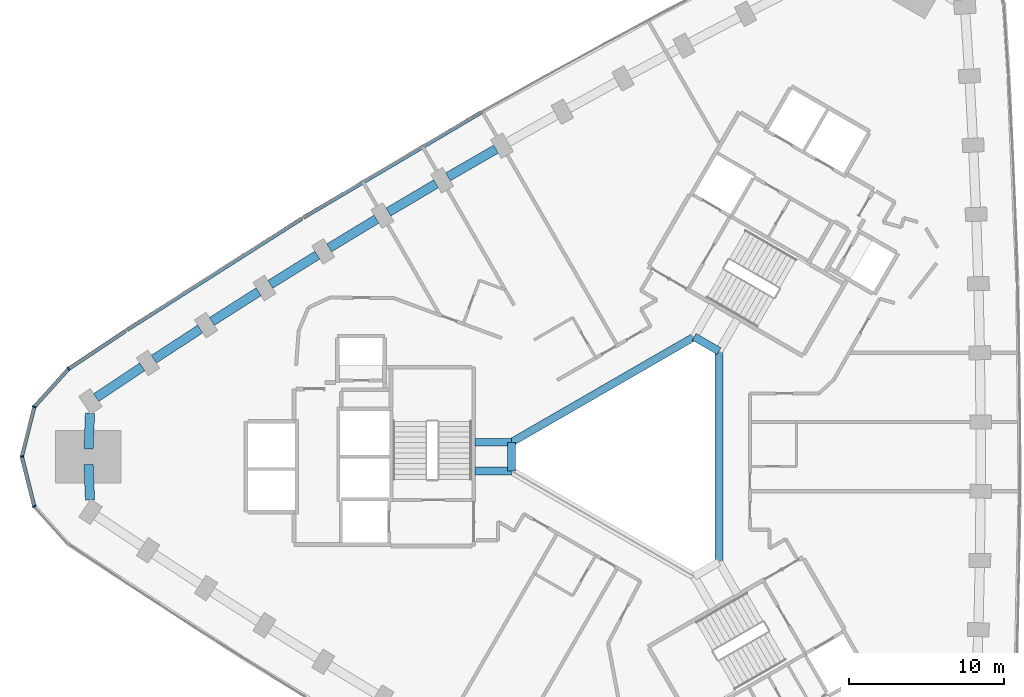
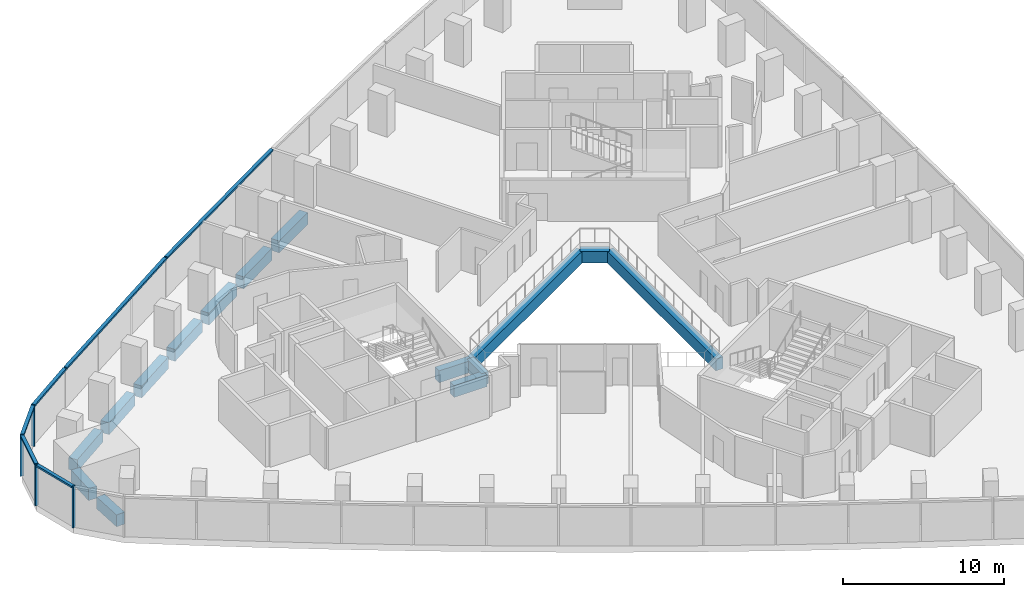
# One storey, part 4 of 13: 15 beams, 10 members, 1 element without a shape of its own.
"""IFC4 building model written with IfcOpenShell, lengths in metres."""

import ifcopenshell
import ifcopenshell.guid

model = None  # the IFC model being written
_history = None  # IfcOwnerHistory: only IFC2X3 demands one
_inside = {}  # id of a spatial element -> (the spatial element, [elements in it])
_under = {}  # id of a project, library or spatial element -> (it, [spatial elements below it])
_declared = {}  # id of a project -> (the project, [libraries it declares])
_typed = {}  # id of a type object -> (the type object, [elements of that type])
_made_of = {}  # id of a material, layer set ... -> (it, [elements and type objects made of it])


def new_model(schema):
    """Start an empty IFC model of exactly this schema.

    Asked for "IFC4X3", IfcOpenShell would pick the latest addendum, in which some entities
    have other attributes; the version numbers below select the first issue.
    IFC2X3 requires an IfcOwnerHistory on every rooted entity: one is made here for all.
    """
    global model, _history
    if schema == "IFC4X3":
        model = ifcopenshell.file(schema_version=(4, 3, 0, 0))
    else:
        model = ifcopenshell.file(schema=schema)
    _inside.clear()
    _under.clear()
    _declared.clear()
    _typed.clear()
    _made_of.clear()
    _history = None
    if model.schema == "IFC2X3":
        org = make("IfcOrganization", Name="unknown")
        user = make(
            "IfcPersonAndOrganization",
            ThePerson=make("IfcPerson", FamilyName="unknown"),
            TheOrganization=org,
        )
        app = make(
            "IfcApplication",
            ApplicationDeveloper=org,
            Version="unknown",
            ApplicationFullName="unknown",
            ApplicationIdentifier="unknown",
        )
        _history = make(
            "IfcOwnerHistory",
            OwningUser=user,
            OwningApplication=app,
            ChangeAction="ADDED",
            CreationDate=0,
        )
    return model


def make(cls, **values):
    """One entity of the class cls with the attributes given. An attribute that is None is left unset."""
    return model.create_entity(
        cls, **{name: value for name, value in values.items() if value is not None}
    )


def rooted(cls, **values):
    """An entity with a GlobalId (a new one), such as an element, a storey or a relation."""
    return make(cls, GlobalId=ifcopenshell.guid.new(), OwnerHistory=_history, **values)


def si_unit(unit_type, name, prefix=None):
    """IfcSIUnit, for example si_unit("LENGTHUNIT", "METRE", prefix="MILLI")."""
    return make("IfcSIUnit", UnitType=unit_type, Prefix=prefix, Name=name)


def assignment(units):
    """IfcUnitAssignment: the units of a project."""
    return None if units is None else make("IfcUnitAssignment", Units=units)


def point(xyz):
    """IfcCartesianPoint."""
    return None if xyz is None else make("IfcCartesianPoint", Coordinates=xyz)


def direction(xyz):
    """IfcDirection."""
    return None if xyz is None else make("IfcDirection", DirectionRatios=xyz)


def frame(location, z_axis=None, x_axis=None):
    """IfcAxis2Placement3D, a coordinate frame: its origin and axes. An axis left out is left unset."""
    return make(
        "IfcAxis2Placement3D",
        Location=point(location),
        Axis=direction(z_axis),
        RefDirection=direction(x_axis),
    )


def frame_2d(location, x_axis=None):
    """IfcAxis2Placement2D, a coordinate frame in the plane: its origin and x axis."""
    return make(
        "IfcAxis2Placement2D", Location=point(location), RefDirection=direction(x_axis)
    )


def origin():
    """The frame at (0, 0, 0) with its axes left unset."""
    return frame((0.0, 0.0, 0.0))


def origin_2d():
    """The frame at (0, 0) in the plane with its x axis left unset."""
    return frame_2d((0.0, 0.0))


def place(relative_to, where):
    """IfcLocalPlacement: puts the frame where relative to a parent placement (None: the world)."""
    return make(
        "IfcLocalPlacement", PlacementRelTo=relative_to, RelativePlacement=where
    )


def context(
    kind, dimensions, precision=None, world=None, true_north=None, identifier=None
):
    """IfcGeometricRepresentationContext, for example the 3D "Model" context."""
    return make(
        "IfcGeometricRepresentationContext",
        ContextIdentifier=identifier,
        ContextType=kind,
        CoordinateSpaceDimension=dimensions,
        Precision=precision,
        WorldCoordinateSystem=world,
        TrueNorth=true_north,
    )


def subcontext(parent, identifier, kind, view, scale=None):
    """IfcGeometricRepresentationSubContext, for example "Body" below "Model"."""
    return make(
        "IfcGeometricRepresentationSubContext",
        ContextIdentifier=identifier,
        ContextType=kind,
        ParentContext=parent,
        TargetScale=scale,
        TargetView=view,
    )


def project(units=None, contexts=None):
    """IfcProject with its units and contexts."""
    return rooted(
        "IfcProject",
        Name="project",
        RepresentationContexts=contexts,
        UnitsInContext=assignment(units),
    )


def spatial(cls, under=None, at=None, **own):
    """A site, building, storey or space (cls), placed at a placement, below another one or the project."""
    s = rooted(cls, ObjectPlacement=at, **own)
    if under is not None:
        _under.setdefault(under.id(), (under, []))[1].append(s)
    return s


def profile(cls, at=None, kind="AREA", **sizes):
    """A parametric profile (cls). Its sizes go by their IFC names, for example OverallWidth=200.0."""
    return make(cls, ProfileType=kind, Position=at, **sizes)


def rectangle(**sizes):
    """IfcRectangleProfileDef."""
    return profile("IfcRectangleProfileDef", **sizes)


def extrude(swept, where, along, depth):
    """IfcExtrudedAreaSolid: the profile swept, set in the frame where, extruded along a direction by depth."""
    return make(
        "IfcExtrudedAreaSolid",
        SweptArea=swept,
        Position=where,
        ExtrudedDirection=direction(along),
        Depth=depth,
    )


def shape(context_of_items, identifier, shape_type, items):
    """IfcShapeRepresentation: the items that make up one representation, for example the "Body"."""
    return make(
        "IfcShapeRepresentation",
        ContextOfItems=context_of_items,
        RepresentationIdentifier=identifier,
        RepresentationType=shape_type,
        Items=items,
    )


def material(Name=None, Category=None):
    """IfcMaterial."""
    return make("IfcMaterial", Name=Name, Category=Category)


def material_profile(
    of_material, cross_section, Name=None, Category=None, Priority=None
):
    """IfcMaterialProfile: a cross section and its material."""
    return make(
        "IfcMaterialProfile",
        Name=Name,
        Material=of_material,
        Profile=cross_section,
        Priority=Priority,
        Category=Category,
    )


def profile_set(profiles, Name=None, composite=None):
    """IfcMaterialProfileSet."""
    return make(
        "IfcMaterialProfileSet",
        Name=Name,
        MaterialProfiles=profiles,
        CompositeProfile=composite,
    )


def made_of(thing, what):
    """Note that an element or type object is made of a material, layer set ...; save() writes the relation."""
    if what is not None:
        _made_of.setdefault(what.id(), (what, []))[1].append(thing)
    return thing


def type_object(cls, material=None, **own):
    """A type object (cls), such as IfcWallType, which elements share."""
    return made_of(rooted(cls, **own), material)


def element(
    cls,
    number,
    at=None,
    inside=None,
    cuts=None,
    type_object=None,
    material=None,
    context=None,
    identifier="Body",
    shape_type=None,
    held_by="IfcProductDefinitionShape",
    body=None,
    shapes=None,
    **own,
):
    """One element of the class cls, such as IfcWall. Its Tag is "e" and its number.

    at: its placement. inside: the storey or other place that contains it. cuts: it is an
    opening in that element (IfcRelVoidsElement). A single representation is given by context,
    identifier, shape_type and body (its items); several are given by shapes. held_by: the class
    of the entity that holds the representations. save() writes the other relations.
    """
    e = rooted(cls, Tag="e%d" % number, ObjectPlacement=at, **own)
    if body is not None:
        shapes = [shape(context, identifier, shape_type, body)]
    if shapes is not None:
        e.Representation = make(held_by, Representations=shapes)
    if inside is not None:
        _inside.setdefault(inside.id(), (inside, []))[1].append(e)
    if cuts is not None:
        rooted(
            "IfcRelVoidsElement", RelatingBuildingElement=cuts, RelatedOpeningElement=e
        )
    if type_object is not None:
        _typed.setdefault(type_object.id(), (type_object, []))[1].append(e)
    return made_of(e, material)


def aggregate(whole, parts):
    """IfcRelAggregates: a whole, such as a stair, and the parts it consists of."""
    return rooted("IfcRelAggregates", RelatingObject=whole, RelatedObjects=parts)


def save(model, path):
    """Write the relations noted so far, then the file.

    IfcRelAggregates (storeys below a building ...), IfcRelContainedInSpatialStructure (elements
    in a storey), IfcRelDefinesByType, IfcRelAssociatesMaterial and IfcRelDeclares: one each for
    every whole, place, type object, material and project.
    """
    for whole, parts in _under.values():
        aggregate(whole, parts)
    for where, things in _inside.values():
        rooted(
            "IfcRelContainedInSpatialStructure",
            RelatedElements=things,
            RelatingStructure=where,
        )
    for kind, things in _typed.values():
        rooted("IfcRelDefinesByType", RelatedObjects=things, RelatingType=kind)
    for what, things in _made_of.values():
        rooted("IfcRelAssociatesMaterial", RelatedObjects=things, RelatingMaterial=what)
    for by, libraries in _declared.values():
        rooted("IfcRelDeclares", RelatingContext=by, RelatedDefinitions=libraries)
    model.write(path)


model = new_model("IFC4")

# Units and contexts
model_context = context("Model", 3, precision=1e-05, world=origin(), true_north=direction((0.0, 1.0)))
body_context = subcontext(model_context, "Body", "Model", "MODEL_VIEW")
ifc_project = project(units=[si_unit("LENGTHUNIT", "METRE"), si_unit("AREAUNIT", "SQUARE_METRE"), si_unit("VOLUMEUNIT", "CUBIC_METRE"), si_unit("PLANEANGLEUNIT", "RADIAN"), si_unit("MASSUNIT", "GRAM", prefix="KILO")], contexts=[model_context])

# Site, building, storey
site_placement = place(None, origin())
site = spatial("IfcSite", under=ifc_project, at=site_placement, CompositionType="ELEMENT")
building_placement = place(site_placement, origin())
building = spatial("IfcBuilding", under=site, at=building_placement, Name="Tamra Quay Hotel Tower", CompositionType="ELEMENT")
storey_placement = place(building_placement, frame((0.0, 0.0, 60.199951171875)))
storey = spatial("IfcBuildingStorey", under=building, at=storey_placement, Name="L13", CompositionType="ELEMENT", Elevation=60.199951171875)

# Beams
ifc_material_1 = material(Name="Concrete M60", Category="concrete")
ifc_material_profile_1 = material_profile(ifc_material_1, rectangle(XDim=0.5, YDim=0.89990234375, at=origin_2d()), Name="ATRIUM EDGE BEAM RC 500x900")
ifc_profile_set_1 = profile_set([ifc_material_profile_1], Name="Concrete M60")
beam_type_1 = type_object("IfcBeamType", Name="ATRIUM EDGE BEAM RC 500x900", PredefinedType="BEAM", material=ifc_profile_set_1)
beam_1_placement = place(storey_placement, frame((5.0, 6.812744140625, -0.925048828125), z_axis=(0.0, -1.0, 0.0), x_axis=(1.0, 0.0, 0.0)))
element("IfcBeam", 1, at=beam_1_placement, inside=storey, type_object=beam_type_1, Name="BM-AB0-L13", PredefinedType="BEAM", context=body_context, shape_type="SweptSolid", body=[
    extrude(rectangle(XDim=0.5, YDim=0.89990234375, at=origin_2d()), origin(), (0.0, 0.0, 1.0), 13.62548828125),
])
beam_2_placement = place(storey_placement, frame((-8.39990234375, -0.923828125, -0.925048828125), z_axis=(0.0, 1.0, 0.0), x_axis=(-1.0, 0.0, 0.0)))
element("IfcBeam", 2, at=beam_2_placement, inside=storey, type_object=beam_type_1, Name="BM-AB3-L13", PredefinedType="BEAM", context=body_context, shape_type="SweptSolid", body=[
    extrude(rectangle(XDim=0.5, YDim=0.89990234375, at=origin_2d()), origin(), (0.0, 0.0, 1.0), 1.84765625),
])
beam_3_placement = place(storey_placement, frame((-8.39990234375, 0.923828125, -0.925048828125), z_axis=(0.866021471679, 0.500006810544, 0.0), x_axis=(-0.500006810544, 0.866021471679, 0.0)))
element("IfcBeam", 3, at=beam_3_placement, inside=storey, type_object=beam_type_1, Name="BM-AB4-L13", PredefinedType="BEAM", context=body_context, shape_type="SweptSolid", body=[
    extrude(rectangle(XDim=0.5, YDim=0.89990234375, at=origin_2d()), origin(), (0.0, 0.0, 1.0), 13.625244140625),
])
beam_4_placement = place(storey_placement, frame((3.39990234375, 7.736572265625, -0.925048828125), z_axis=(0.86602275259, -0.500004591975, 0.0), x_axis=(0.500004591975, 0.86602275259, 0.0)))
element("IfcBeam", 4, at=beam_4_placement, inside=storey, type_object=beam_type_1, Name="BM-AB5-L13", PredefinedType="BEAM", context=body_context, shape_type="SweptSolid", body=[
    extrude(rectangle(XDim=0.5, YDim=0.89990234375, at=origin_2d()), origin(), (0.0, 0.0, 1.0), 1.84765625),
])
ifc_material_profile_2 = material_profile(ifc_material_1, rectangle(XDim=0.5, YDim=0.89990234375, at=origin_2d()), Name="ATRIUM TIE BEAM RC 500x900")
ifc_profile_set_2 = profile_set([ifc_material_profile_2], Name="Concrete M60")
beam_type_2 = type_object("IfcBeamType", Name="ATRIUM TIE BEAM RC 500x900", PredefinedType="BEAM", material=ifc_profile_set_2)
for number, where, z_axis, x_axis, name in (
    (5, (-8.39990234375, -0.923828125, -0.925048828125), (-1.0, 0.0, 0.0), (0.0, -1.0, 0.0), "BM-TIE-3-L13"),
    (6, (-8.39990234375, 0.923828125, -0.925048828125), (-1.0, 0.0, 0.0), (0.0, -1.0, 0.0), "BM-TIE-4-L13"),
):
    element("IfcBeam", number, at=place(storey_placement, frame(where, z_axis=z_axis, x_axis=x_axis)), inside=storey, type_object=beam_type_2, Name=name, PredefinedType="BEAM", context=body_context, shape_type="SweptSolid", body=[
        extrude(rectangle(XDim=0.5, YDim=0.89990234375, at=origin_2d()), origin(), (0.0, 0.0, 1.0), 2.3623046875),
    ])

# Curtain wall, members
ifc_material_2 = material(Name="Aluminium 6063 anodised dark grey", Category="aluminium")
curtain_wall_type = type_object("IfcCurtainWallType", Name="CW2 CURTAIN WALL", PredefinedType="NOTDEFINED", material=ifc_material_2)
curtain_wall_placement = place(storey_placement, origin())
curtain_wall = element("IfcCurtainWall", 7, at=curtain_wall_placement, inside=storey, type_object=curtain_wall_type, Name="CW2 north-west face L13", PredefinedType="NOTDEFINED")
ifc_material_profile_3 = material_profile(ifc_material_2, rectangle(XDim=0.239990234375, YDim=0.10009765625, at=origin_2d()), Name="MULLION 100X240")
ifc_profile_set_3 = profile_set([ifc_material_profile_3], Name="Aluminium 6063 anodised dark grey")
member_type_1 = type_object("IfcMemberType", Name="MULLION CW2 Z1", PredefinedType="MULLION", material=ifc_profile_set_3)
member_1_placement = place(storey_placement, frame((-37.001708984375, 5.6669921875, 0.0), z_axis=(0.0, 0.0, 1.0), x_axis=(-0.654196739281, 0.756324418695, 0.0)))
member_1 = element("IfcMember", 8, at=member_1_placement, type_object=member_type_1, Name="CW2 mullion L13.NW.14", PredefinedType="MULLION", context=body_context, shape_type="SweptSolid", body=[
    extrude(rectangle(XDim=0.239990234375, YDim=0.10009765625, at=origin_2d()), origin(), (0.0, 0.0, 1.0), 3.125),
])
member_2_placement = place(storey_placement, frame((-39.214599609375, 3.209228515625, 0.0), z_axis=(0.0, 0.0, 1.0), x_axis=(-0.882955345235, 0.469456982396, 0.0)))
member_2 = element("IfcMember", 9, at=member_2_placement, type_object=member_type_1, Name="CW2 mullion L13.NW.15", PredefinedType="MULLION", context=body_context, shape_type="SweptSolid", body=[
    extrude(rectangle(XDim=0.239990234375, YDim=0.10009765625, at=origin_2d()), origin(), (0.0, 0.0, 1.0), 3.125),
])
member_3_placement = place(storey_placement, frame((-40.0146484375, 0.0, 0.0), z_axis=(0.0, 0.0, 1.0), x_axis=(-1.0, 0.0, 0.0)))
member_3 = element("IfcMember", 10, at=member_3_placement, type_object=member_type_1, Name="CW2 mullion L13.NW.16", PredefinedType="MULLION", context=body_context, shape_type="SweptSolid", body=[
    extrude(rectangle(XDim=0.239990234375, YDim=0.10009765625, at=origin_2d()), origin(), (0.0, 0.0, 1.0), 3.125),
])
member_4_placement = place(storey_placement, frame((-39.214599609375, -3.209228515625, 0.0), z_axis=(0.0, 0.0, 1.0), x_axis=(-0.882955345235, -0.469456982396, 0.0)))
member_4 = element("IfcMember", 11, at=member_4_placement, type_object=member_type_1, Name="CW2 mullion L13.NW.17", PredefinedType="MULLION", context=body_context, shape_type="SweptSolid", body=[
    extrude(rectangle(XDim=0.239990234375, YDim=0.10009765625, at=origin_2d()), origin(), (0.0, 0.0, 1.0), 3.125),
])

# Beams
ifc_material_profile_4 = material_profile(ifc_material_1, rectangle(XDim=0.60009765625, YDim=0.89990234375, at=origin_2d()), Name="SPANDREL BEAM RC 600x900")
ifc_profile_set_4 = profile_set([ifc_material_profile_4], Name="Concrete M60")
beam_type_3 = type_object("IfcBeamType", Name="SPANDREL BEAM RC 600x900", PredefinedType="SPANDREL", material=ifc_profile_set_4)
beam_5_placement = place(storey_placement, frame((-9.401123046875, 19.853759765625, -0.925048828125), z_axis=(-0.866017069707, -0.500014434768, 0.0), x_axis=(0.500014434768, -0.866017069707, 0.0)))
element("IfcBeam", 12, at=beam_5_placement, inside=storey, type_object=beam_type_3, Name="BM-SP1-021-L13", PredefinedType="SPANDREL", context=body_context, shape_type="SweptSolid", body=[
    extrude(rectangle(XDim=0.60009765625, YDim=0.89990234375, at=origin_2d()), origin(), (0.0, 0.0, 1.0), 3.57080078125),
])
beam_6_placement = place(storey_placement, frame((-13.270263671875, 17.6142578125, -0.925048828125), z_axis=(-0.860524689034, -0.509408735264, 0.0), x_axis=(0.509408735264, -0.860524689034, 0.0)))
element("IfcBeam", 13, at=beam_6_placement, inside=storey, type_object=beam_type_3, Name="BM-SP1-022-L13", PredefinedType="SPANDREL", context=body_context, shape_type="SweptSolid", body=[
    extrude(rectangle(XDim=0.60009765625, YDim=0.89990234375, at=origin_2d()), origin(), (0.0, 0.0, 1.0), 3.570556640625),
])
beam_7_placement = place(storey_placement, frame((-17.114990234375, 15.3330078125, -0.925048828125), z_axis=(-0.854966252085, -0.518683629775, 0.0), x_axis=(0.518683629775, -0.854966252085, 0.0)))
element("IfcBeam", 14, at=beam_7_placement, inside=storey, type_object=beam_type_3, Name="BM-SP1-023-L13", PredefinedType="SPANDREL", context=body_context, shape_type="SweptSolid", body=[
    extrude(rectangle(XDim=0.60009765625, YDim=0.89990234375, at=origin_2d()), origin(), (0.0, 0.0, 1.0), 3.56982421875),
])
beam_8_placement = place(storey_placement, frame((-20.93408203125, 13.010498046875, -0.925048828125), z_axis=(-0.849320953317, -0.527876802158, 0.0), x_axis=(0.527876802158, -0.849320953317, 0.0)))
element("IfcBeam", 15, at=beam_8_placement, inside=storey, type_object=beam_type_3, Name="BM-SP1-024-L13", PredefinedType="SPANDREL", context=body_context, shape_type="SweptSolid", body=[
    extrude(rectangle(XDim=0.60009765625, YDim=0.89990234375, at=origin_2d()), origin(), (0.0, 0.0, 1.0), 3.570556640625),
])
beam_9_placement = place(storey_placement, frame((-24.728515625, 10.646484375, -0.925048828125), z_axis=(-0.843593906333, -0.53698167678, 0.0), x_axis=(0.53698167678, -0.843593906333, 0.0)))
element("IfcBeam", 16, at=beam_9_placement, inside=storey, type_object=beam_type_3, Name="BM-SP1-025-L13", PredefinedType="SPANDREL", context=body_context, shape_type="SweptSolid", body=[
    extrude(rectangle(XDim=0.60009765625, YDim=0.89990234375, at=origin_2d()), origin(), (0.0, 0.0, 1.0), 3.5703125),
])
beam_10_placement = place(storey_placement, frame((-28.4970703125, 8.24169921875, -0.925048828125), z_axis=(-0.837739819239, -0.546069588296, 0.0), x_axis=(0.546069588296, -0.837739819239, 0.0)))
element("IfcBeam", 17, at=beam_10_placement, inside=storey, type_object=beam_type_3, Name="BM-SP1-026-L13", PredefinedType="SPANDREL", context=body_context, shape_type="SweptSolid", body=[
    extrude(rectangle(XDim=0.60009765625, YDim=0.89990234375, at=origin_2d()), origin(), (0.0, 0.0, 1.0), 3.570068359375),
])
beam_11_placement = place(storey_placement, frame((-32.239013671875, 5.796630859375, -0.925048828125), z_axis=(-0.831818807601, -0.555047269448, 0.0), x_axis=(0.555047269448, -0.831818807601, 0.0)))
element("IfcBeam", 18, at=beam_11_placement, inside=storey, type_object=beam_type_3, Name="BM-SP1-027-L13", PredefinedType="SPANDREL", context=body_context, shape_type="SweptSolid", body=[
    extrude(rectangle(XDim=0.60009765625, YDim=0.89990234375, at=origin_2d()), origin(), (0.0, 0.0, 1.0), 3.57080078125),
])
for number, where, z_axis, x_axis, name in (
    (19, (-35.614501953125, 2.805908203125, -0.925048828125), (-0.040711272802, -0.999170952474, 0.0), (0.999170952474, -0.040711272802, 0.0), "BM-SP1-028-L13"),
    (20, (-35.70849609375, -0.4990234375, -0.925048828125), (0.040711272802, -0.999170952474, 0.0), (0.999170952474, 0.040711272802, 0.0), "BM-SP1-029-L13"),
):
    element("IfcBeam", number, at=place(storey_placement, frame(where, z_axis=z_axis, x_axis=x_axis)), inside=storey, type_object=beam_type_3, Name=name, PredefinedType="SPANDREL", context=body_context, shape_type="SweptSolid", body=[
        extrude(rectangle(XDim=0.60009765625, YDim=0.89990234375, at=origin_2d()), origin(), (0.0, 0.0, 1.0), 2.308837890625),
    ])

# Member
ifc_material_profile_5 = material_profile(ifc_material_2, rectangle(XDim=0.239990234375, YDim=0.139892578125, at=origin_2d()), Name="TRANSOM 240X140")
ifc_profile_set_5 = profile_set([ifc_material_profile_5], Name="Aluminium 6063 anodised dark grey")
member_type_2 = type_object("IfcMemberType", Name="TRANSOM CW2 Z1", PredefinedType="USERDEFINED", material=ifc_profile_set_5)
member_5_placement = place(storey_placement, frame((-10.31103515625, 22.25634765625, 3.054931640625), z_axis=(-0.860556136509, -0.509355608506, 0.0), x_axis=(0.509355608506, -0.860556136509, 0.0)))
member_5 = element("IfcMember", 21, at=member_5_placement, type_object=member_type_2, Name="CW2 transom L13.NW.7", ObjectType="TRANSOM", PredefinedType="USERDEFINED", context=body_context, shape_type="SweptSolid", body=[
    extrude(rectangle(XDim=0.239990234375, YDim=0.139892578125, at=origin_2d()), origin(), (0.0, 0.0, 1.0), 13.39306640625),
])

member_6_placement = place(storey_placement, frame((-21.921630859375, 15.38232421875, 3.054931640625), z_axis=(-0.843573654677, -0.537013490646, 0.0), x_axis=(0.537013490646, -0.843573654677, 0.0)))
member_6 = element("IfcMember", 22, at=member_6_placement, type_object=member_type_2, Name="CW2 transom L13.NW.10", ObjectType="TRANSOM", PredefinedType="USERDEFINED", context=body_context, shape_type="SweptSolid", body=[
    extrude(rectangle(XDim=0.239990234375, YDim=0.139892578125, at=origin_2d()), origin(), (0.0, 0.0, 1.0), 13.392822265625),
])

member_7_placement = place(storey_placement, frame((-33.302978515625, 8.135009765625, 3.054931640625), z_axis=(-0.831819549422, -0.555046157719, 0.0), x_axis=(0.555046157719, -0.831819549422, 0.0)))
member_7 = element("IfcMember", 23, at=member_7_placement, type_object=member_type_2, Name="CW2 transom L13.NW.13", ObjectType="TRANSOM", PredefinedType="USERDEFINED", context=body_context, shape_type="SweptSolid", body=[
    extrude(rectangle(XDim=0.239990234375, YDim=0.139892578125, at=origin_2d()), origin(), (0.0, 0.0, 1.0), 4.396484375),
])

member_8_placement = place(storey_placement, frame((-37.03515625, 5.6298828125, 3.054931640625), z_axis=(-0.669103504087, -0.743169227577, 0.0), x_axis=(0.743169227577, -0.669103504087, 0.0)))
member_8 = element("IfcMember", 24, at=member_8_placement, type_object=member_type_2, Name="CW2 transom L13.NW.14", ObjectType="TRANSOM", PredefinedType="USERDEFINED", context=body_context, shape_type="SweptSolid", body=[
    extrude(rectangle(XDim=0.239990234375, YDim=0.139892578125, at=origin_2d()), origin(), (0.0, 0.0, 1.0), 3.207275390625),
])

member_9_placement = place(storey_placement, frame((-39.226806640625, 3.16064453125, 3.054931640625), z_axis=(-0.241908705512, -0.970299014839, 0.0), x_axis=(0.970299014839, -0.241908705512, 0.0)))
member_9 = element("IfcMember", 25, at=member_9_placement, type_object=member_type_2, Name="CW2 transom L13.NW.15", ObjectType="TRANSOM", PredefinedType="USERDEFINED", context=body_context, shape_type="SweptSolid", body=[
    extrude(rectangle(XDim=0.239990234375, YDim=0.139892578125, at=origin_2d()), origin(), (0.0, 0.0, 1.0), 3.207275390625),
])

member_10_placement = place(storey_placement, frame((-40.002685546875, -0.048583984375, 3.054931640625), z_axis=(0.241908705512, -0.970299014839, 0.0), x_axis=(0.970299014839, 0.241908705512, 0.0)))
member_10 = element("IfcMember", 26, at=member_10_placement, type_object=member_type_2, Name="CW2 transom L13.NW.16", ObjectType="TRANSOM", PredefinedType="USERDEFINED", context=body_context, shape_type="SweptSolid", body=[
    extrude(rectangle(XDim=0.239990234375, YDim=0.139892578125, at=origin_2d()), origin(), (0.0, 0.0, 1.0), 3.207275390625),
])

aggregate(curtain_wall, [member_5, member_6, member_7, member_1, member_8, member_2, member_9, member_3, member_10, member_4])

save(model, "model.ifc")
